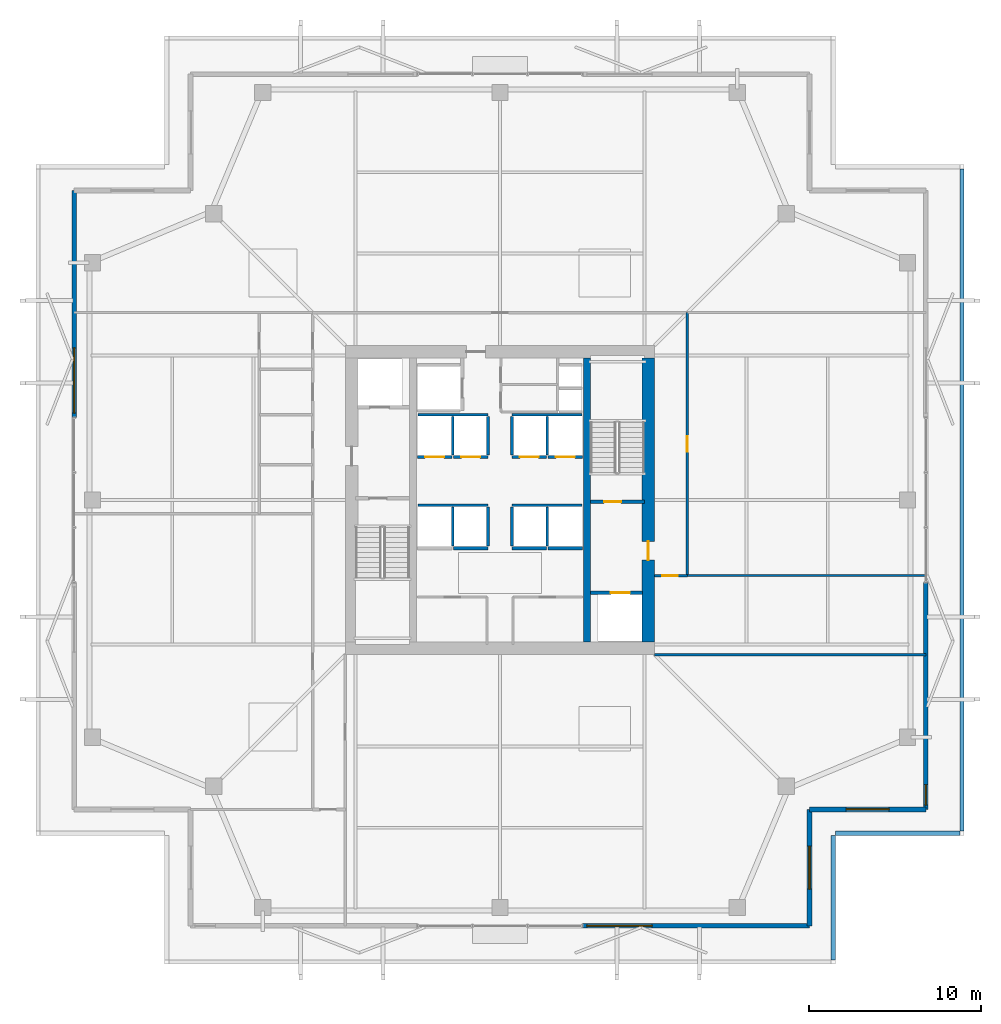
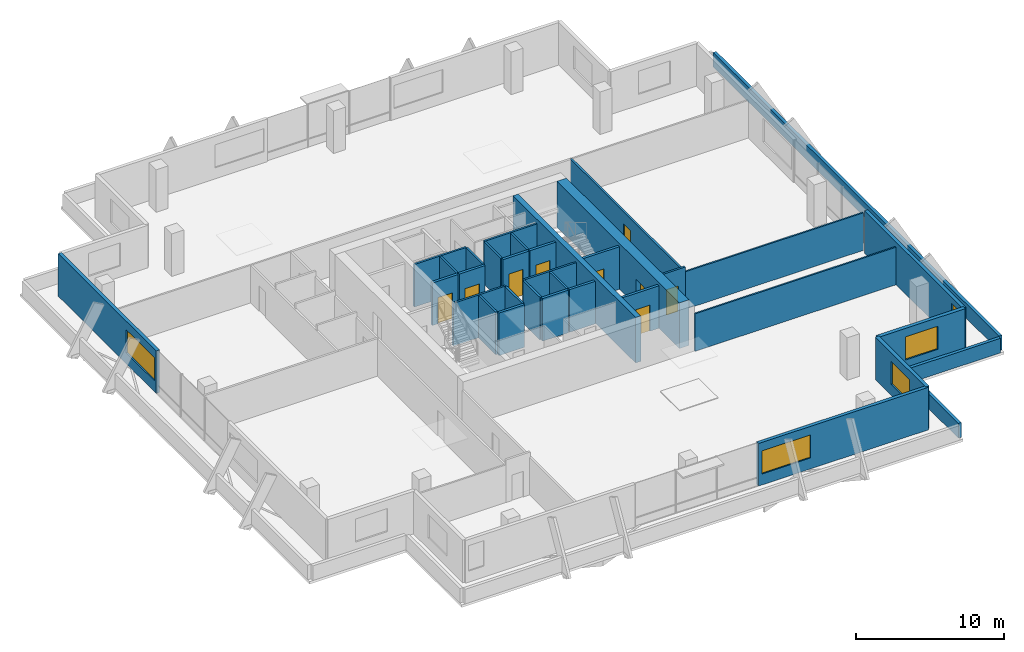
# One storey, part 13 of 17: 35 walls, 9 doors, 5 windows, 14 openings.
"""IFC4 building model written with IfcOpenShell, lengths in metres."""

from ifc_helpers import new_model, si_unit, direction, frame, frame_2d, origin, place, context, subcontext, project, spatial, rectangle, extrude, material, layer, layer_set, type_object, element, fill, save


model = new_model("IFC4")

# Units and contexts
model_context = context("Model", 3, precision=1e-05, world=origin(), true_north=direction((0.0, 1.0)))
body_context = subcontext(model_context, "Body", "Model", "MODEL_VIEW")
ifc_project = project(units=[si_unit("LENGTHUNIT", "METRE"), si_unit("AREAUNIT", "SQUARE_METRE"), si_unit("VOLUMEUNIT", "CUBIC_METRE"), si_unit("PLANEANGLEUNIT", "RADIAN"), si_unit("MASSUNIT", "GRAM", prefix="KILO")], contexts=[model_context])

# Site, building, storey
site_placement = place(None, origin())
site = spatial("IfcSite", under=ifc_project, at=site_placement, CompositionType="ELEMENT")
building_placement = place(site_placement, origin())
building = spatial("IfcBuilding", under=site, at=building_placement, Name="Belovzor Exchange Tower", CompositionType="ELEMENT")
storey_placement = place(building_placement, frame((0.0, 0.0, 246.60009765625)))
storey = spatial("IfcBuildingStorey", under=building, at=storey_placement, Name="L61", CompositionType="ELEMENT", Elevation=246.60009765625)

# Walls
ifc_material_1 = material(Name="Acoustic Plasterboard on Galvanised Studs", Category="gypsum")
ifc_layer_1 = layer(ifc_material_1, 0.1201171875)
ifc_layer_set_1 = layer_set([ifc_layer_1], Name="Acoustic Plasterboard on Galvanised Studs")
wall_type_1 = type_object("IfcWallType", Name="Acoustic Double-Stud Partition Wall 120", PredefinedType="PARTITIONING", material=ifc_layer_set_1)
wall_1_placement = place(storey_placement, frame((37.800048828125, 19.800048828125, 0.0), z_axis=(0.0, 0.0, 1.0), x_axis=(1.0, 0.0, 0.0)))
element("IfcWall", 1, at=wall_1_placement, inside=storey, type_object=wall_type_1, Name="W-P120 Partition Wall W-L61-ESS", PredefinedType="PARTITIONING", context=body_context, shape_type="SweptSolid", body=[
    extrude(rectangle(XDim=15.77001953125, YDim=0.1201171875, at=frame_2d((7.885009765625, 0.0))), origin(), (0.0, 0.0, 1.0), 3.0849609375),
])
wall_2_placement = place(storey_placement, frame((39.699951171875, 24.39990234375, 0.0), z_axis=(0.0, 0.0, 1.0), x_axis=(1.0, 0.0, 0.0)))
element("IfcWall", 2, at=wall_2_placement, inside=storey, type_object=wall_type_1, Name="W-P120 Partition Wall W-L61-ESN", PredefinedType="PARTITIONING", context=body_context, shape_type="SweptSolid", body=[
    extrude(rectangle(XDim=13.8701171875, YDim=0.1201171875, at=frame_2d((6.93505859375, 0.0))), origin(), (0.0, 0.0, 1.0), 3.0849609375),
])

# Wall, opening, door
ifc_material_2 = material(Name="Fire-Rated Gypsum Block and Mineral Wool", Category="gypsum")
ifc_layer_2 = layer(ifc_material_2, 0.14990234375)
ifc_layer_set_2 = layer_set([ifc_layer_2], Name="Fire-Rated Gypsum Block and Mineral Wool")
wall_type_2 = type_object("IfcWallType", Name="Fire-Rated Gypsum Block Corridor Wall 150", PredefinedType="PARTITIONING", material=ifc_layer_set_2)
wall_3_placement = place(storey_placement, frame((37.800048828125, 24.39990234375, 0.0), z_axis=(0.0, 0.0, 1.0), x_axis=(1.0, 0.0, 0.0)))
wall_3 = element("IfcWall", 3, at=wall_3_placement, inside=storey, type_object=wall_type_2, Name="W-P150 Partition Wall W-L61-CE-END", PredefinedType="PARTITIONING", context=body_context, shape_type="SweptSolid", body=[
    extrude(rectangle(XDim=1.89990234375, YDim=0.14990234375, at=frame_2d((0.949951171875, 0.0))), origin(), (0.0, 0.0, 1.0), 3.5),
])
opening_1_placement = place(wall_3_placement, frame((0.449951171875, 0.0, 0.0)))
opening_1 = element("IfcOpeningElement", 4, at=opening_1_placement, cuts=wall_3, Name="Opening D-FD60-090", PredefinedType="OPENING", context=body_context, shape_type="SweptSolid", body=[
    extrude(rectangle(XDim=0.89990234375, YDim=2.10009765625, at=frame_2d((0.449951171875, 1.050048828125))), frame((0.0, 0.0849609375, 0.0), z_axis=(0.0, -1.0, 0.0), x_axis=(1.0, 0.0, 0.0)), (0.0, 0.0, 1.0), 0.169921875),
])
ifc_material_3 = material(Name="Acoustic Timber Fire Leaf", Category="wood")
door_type_1 = type_object("IfcDoorType", Name="Core Service & Restroom Fire Door 900x2100", OperationType="NOTDEFINED", PredefinedType="DOOR", material=ifc_material_3)
door_1_placement = place(opening_1_placement, origin())
door_1 = element("IfcDoor", 5, at=door_1_placement, inside=storey, type_object=door_type_1, Name="D-FD60-090 Core Service & Restroom Fire Door 900x2100", OperationType="SINGLE_SWING_LEFT", OverallHeight=2.10009765625, OverallWidth=0.89990234375, PredefinedType="DOOR", context=body_context, shape_type="SweptSolid", body=[
    extrude(rectangle(XDim=0.89990234375, YDim=2.10009765625, at=frame_2d((0.449951171875, 1.050048828125))), frame((0.0, 0.02490234375, 0.0), z_axis=(0.0, -1.0, 0.0), x_axis=(1.0, 0.0, 0.0)), (0.0, 0.0, 1.0), 0.050048828125),
])
fill(opening_1, door_1)

wall_4_placement = place(storey_placement, frame((39.699951171875, 24.39990234375, 0.0), z_axis=(0.0, 0.0, 1.0), x_axis=(0.0, 1.0, 0.0)))
wall_4 = element("IfcWall", 6, at=wall_4_placement, inside=storey, type_object=wall_type_2, Name="W-P150 Partition Wall W-L61-CE", PredefinedType="PARTITIONING", context=body_context, shape_type="SweptSolid", body=[
    extrude(rectangle(XDim=15.300048828125, YDim=0.14990234375, at=frame_2d((7.64990234375, 0.0))), origin(), (0.0, 0.0, 1.0), 3.0849609375),
])
opening_2_placement = place(wall_4_placement, frame((7.199951171875, 0.0, 0.0)))
opening_2 = element("IfcOpeningElement", 7, at=opening_2_placement, cuts=wall_4, Name="Opening D-INT-090", PredefinedType="OPENING", context=body_context, shape_type="SweptSolid", body=[
    extrude(rectangle(XDim=0.89990234375, YDim=2.10009765625, at=frame_2d((0.449951171875, 1.050048828125))), frame((0.0, 0.0849609375, 0.0), z_axis=(0.0, -1.0, 0.0), x_axis=(1.0, 0.0, 0.0)), (0.0, 0.0, 1.0), 0.169921875),
])
ifc_material_4 = material(Name="Veneered Hardwood Acoustic Leaf", Category="wood")
door_type_2 = type_object("IfcDoorType", Name="Trading Suite Acoustic Single Door 900x2100", OperationType="NOTDEFINED", PredefinedType="DOOR", material=ifc_material_4)
door_2_placement = place(opening_2_placement, origin())
door_2 = element("IfcDoor", 8, at=door_2_placement, inside=storey, type_object=door_type_2, Name="D-INT-090 Trading Suite Acoustic Single Door 900x2100", OperationType="SINGLE_SWING_LEFT", OverallHeight=2.10009765625, OverallWidth=0.89990234375, PredefinedType="DOOR", context=body_context, shape_type="SweptSolid", body=[
    extrude(rectangle(XDim=0.89990234375, YDim=2.10009765625, at=frame_2d((0.449951171875, 1.050048828125))), frame((0.0, 0.02490234375, 0.0), z_axis=(0.0, -1.0, 0.0), x_axis=(1.0, 0.0, 0.0)), (0.0, 0.0, 1.0), 0.050048828125),
])
fill(opening_2, door_2)

# Wall, opening, window
ifc_material_5 = material(Name="Precast concrete C40/50", Category="concrete")
ifc_layer_3 = layer(ifc_material_5, 0.280029296875)
ifc_layer_set_3 = layer_set([ifc_layer_3], Name="Precast concrete C40/50")
wall_type_3 = type_object("IfcWallType", Name="Precast Concrete Notched Corner Frame Wall 280", PredefinedType="SOLIDWALL", material=ifc_layer_set_3)
wall_5_placement = place(storey_placement, frame((53.570068359375, 10.800048828125, 0.0), z_axis=(0.0, 0.0, 1.0), x_axis=(-1.0, 0.0, 0.0)))
wall_5 = element("IfcWall", 9, at=wall_5_placement, inside=storey, type_object=wall_type_3, Name="W-CRN280 Precast Concrete Notched Corner Frame Wall 280 L61", PredefinedType="SOLIDWALL", context=body_context, shape_type="SweptSolid", body=[
    extrude(rectangle(XDim=6.77001953125, YDim=0.280029296875, at=frame_2d((3.385009765625, 0.0))), origin(), (0.0, 0.0, 1.0), 3.5),
])
opening_3_placement = place(wall_5_placement, frame((2.135009765625, 0.0, 0.89990234375)))
opening_3 = element("IfcOpeningElement", 10, at=opening_3_placement, cuts=wall_5, Name="Opening WN-CRN250", PredefinedType="OPENING", context=body_context, shape_type="SweptSolid", body=[
    extrude(rectangle(XDim=2.5, YDim=1.89990234375, at=frame_2d((1.25, 0.949951171875))), frame((0.0, 0.14990234375, 0.0), z_axis=(0.0, -1.0, 0.0), x_axis=(1.0, 0.0, 0.0)), (0.0, 0.0, 1.0), 0.300048828125),
])
ifc_material_6 = material(Name="Thermally Broken Aluminium and Triple Glazing", Category="aluminium")
window_type_1 = type_object("IfcWindowType", Name="Streamline Moderne Corner Wrap Ribbon Window 2500x1900", PartitioningType="SINGLE_PANEL", PredefinedType="WINDOW", material=ifc_material_6)
window_1_placement = place(opening_3_placement, origin())
window_1 = element("IfcWindow", 11, at=window_1_placement, inside=storey, type_object=window_type_1, Name="WN-CRN250 Streamline Moderne Corner Wrap Ribbon Window 2500x1900", OverallHeight=1.89990234375, OverallWidth=2.5, PartitioningType="SINGLE_PANEL", PredefinedType="WINDOW", context=body_context, shape_type="SweptSolid", body=[
    extrude(rectangle(XDim=2.5, YDim=1.89990234375, at=frame_2d((1.25, 0.949951171875))), frame((0.0, 0.030029296875, 0.0), z_axis=(0.0, -1.0, 0.0), x_axis=(1.0, 0.0, 0.0)), (0.0, 0.0, 1.0), 0.06005859375),
])
fill(opening_3, window_1)

wall_6_placement = place(storey_placement, frame((46.800048828125, 10.800048828125, 0.0), z_axis=(0.0, 0.0, 1.0), x_axis=(0.0, -1.0, 0.0)))
wall_6 = element("IfcWall", 12, at=wall_6_placement, inside=storey, type_object=wall_type_3, Name="W-CRN280 Precast Concrete Notched Corner Frame Wall 280 L61", PredefinedType="SOLIDWALL", context=body_context, shape_type="SweptSolid", body=[
    extrude(rectangle(XDim=6.77001953125, YDim=0.280029296875, at=frame_2d((3.385009765625, 0.0))), origin(), (0.0, 0.0, 1.0), 3.5),
])
opening_4_placement = place(wall_6_placement, frame((2.135009765625, 0.0, 0.89990234375)))
opening_4 = element("IfcOpeningElement", 13, at=opening_4_placement, cuts=wall_6, Name="Opening WN-CRN250", PredefinedType="OPENING", context=body_context, shape_type="SweptSolid", body=[
    extrude(rectangle(XDim=2.5, YDim=1.89990234375, at=frame_2d((1.25, 0.949951171875))), frame((0.0, 0.14990234375, 0.0), z_axis=(0.0, -1.0, 0.0), x_axis=(1.0, 0.0, 0.0)), (0.0, 0.0, 1.0), 0.300048828125),
])
window_2_placement = place(opening_4_placement, origin())
window_2 = element("IfcWindow", 14, at=window_2_placement, inside=storey, type_object=window_type_1, Name="WN-CRN250 Streamline Moderne Corner Wrap Ribbon Window 2500x1900", OverallHeight=1.89990234375, OverallWidth=2.5, PartitioningType="SINGLE_PANEL", PredefinedType="WINDOW", context=body_context, shape_type="SweptSolid", body=[
    extrude(rectangle(XDim=2.5, YDim=1.89990234375, at=frame_2d((1.25, 0.949951171875))), frame((0.0, 0.030029296875, 0.0), z_axis=(0.0, -1.0, 0.0), x_axis=(1.0, 0.0, 0.0)), (0.0, 0.0, 1.0), 0.06005859375),
])
fill(opening_4, window_2)

ifc_material_7 = material(Name="Precast concrete C40/50", Category="concrete")
ifc_layer_4 = layer(ifc_material_7, 0.260009765625)
ifc_layer_set_4 = layer_set([ifc_layer_4], Name="Precast concrete C40/50")
wall_type_4 = type_object("IfcWallType", Name="Precast Concrete Perimeter Loggia Frame Wall 260", PredefinedType="SOLIDWALL", material=ifc_layer_set_4)
wall_7_placement = place(storey_placement, frame((46.800048828125, 4.030029296875, 0.0), z_axis=(0.0, 0.0, 1.0), x_axis=(-1.0, 0.0, 0.0)))
wall_7 = element("IfcWall", 15, at=wall_7_placement, inside=storey, type_object=wall_type_4, Name="W-EXT260 Precast Concrete Perimeter Loggia Frame Wall 260 L61", PredefinedType="SOLIDWALL", context=body_context, shape_type="SweptSolid", body=[
    extrude(rectangle(XDim=13.199951171875, YDim=0.260009765625, at=frame_2d((6.60009765625, 0.0))), origin(), (0.0, 0.0, 1.0), 3.5),
])
opening_5_placement = place(wall_7_placement, frame((9.14990234375, 0.0, 0.89990234375)))
opening_5 = element("IfcOpeningElement", 16, at=opening_5_placement, cuts=wall_7, Name="Opening WN-RIB380", PredefinedType="OPENING", context=body_context, shape_type="SweptSolid", body=[
    extrude(rectangle(XDim=3.800048828125, YDim=1.89990234375, at=frame_2d((1.89990234375, 0.949951171875))), frame((0.0, 0.139892578125, 0.0), z_axis=(0.0, -1.0, 0.0), x_axis=(1.0, 0.0, 0.0)), (0.0, 0.0, 1.0), 0.280029296875),
])
ifc_material_8 = material(Name="Thermally Broken Aluminium and Triple Glazing", Category="aluminium")
window_type_2 = type_object("IfcWindowType", Name="Streamline Moderne Horizontal Ribbon Window 3800x1900", PartitioningType="SINGLE_PANEL", PredefinedType="WINDOW", material=ifc_material_8)
window_3_placement = place(opening_5_placement, origin())
window_3 = element("IfcWindow", 17, at=window_3_placement, inside=storey, type_object=window_type_2, Name="WN-RIB380 Streamline Moderne Horizontal Ribbon Window 3800x1900", OverallHeight=1.89990234375, OverallWidth=3.800048828125, PartitioningType="SINGLE_PANEL", PredefinedType="WINDOW", context=body_context, shape_type="SweptSolid", body=[
    extrude(rectangle(XDim=3.800048828125, YDim=1.89990234375, at=frame_2d((1.89990234375, 0.949951171875))), frame((0.0, 0.030029296875, 0.0), z_axis=(0.0, -1.0, 0.0), x_axis=(1.0, 0.0, 0.0)), (0.0, 0.0, 1.0), 0.06005859375),
])
fill(opening_5, window_3)

wall_8_placement = place(storey_placement, frame((4.030029296875, 33.60009765625, 0.0), z_axis=(0.0, 0.0, 1.0), x_axis=(0.0, 1.0, 0.0)))
wall_8 = element("IfcWall", 18, at=wall_8_placement, inside=storey, type_object=wall_type_4, Name="W-EXT260 Precast Concrete Perimeter Loggia Frame Wall 260 L61", PredefinedType="SOLIDWALL", context=body_context, shape_type="SweptSolid", body=[
    extrude(rectangle(XDim=13.199951171875, YDim=0.260009765625, at=frame_2d((6.60009765625, 0.0))), origin(), (0.0, 0.0, 1.0), 3.5),
])
opening_6_placement = place(wall_8_placement, frame((0.25, 0.0, 0.89990234375)))
opening_6 = element("IfcOpeningElement", 19, at=opening_6_placement, cuts=wall_8, Name="Opening WN-RIB380", PredefinedType="OPENING", context=body_context, shape_type="SweptSolid", body=[
    extrude(rectangle(XDim=3.800048828125, YDim=1.89990234375, at=frame_2d((1.89990234375, 0.949951171875))), frame((0.0, 0.139892578125, 0.0), z_axis=(0.0, -1.0, 0.0), x_axis=(1.0, 0.0, 0.0)), (0.0, 0.0, 1.0), 0.280029296875),
])
window_4_placement = place(opening_6_placement, origin())
window_4 = element("IfcWindow", 20, at=window_4_placement, inside=storey, type_object=window_type_2, Name="WN-RIB380 Streamline Moderne Horizontal Ribbon Window 3800x1900", OverallHeight=1.89990234375, OverallWidth=3.800048828125, PartitioningType="SINGLE_PANEL", PredefinedType="WINDOW", context=body_context, shape_type="SweptSolid", body=[
    extrude(rectangle(XDim=3.800048828125, YDim=1.89990234375, at=frame_2d((1.89990234375, 0.949951171875))), frame((0.0, 0.030029296875, 0.0), z_axis=(0.0, -1.0, 0.0), x_axis=(1.0, 0.0, 0.0)), (0.0, 0.0, 1.0), 0.06005859375),
])
fill(opening_6, window_4)

wall_9_placement = place(storey_placement, frame((53.570068359375, 24.0, 0.0), z_axis=(0.0, 0.0, 1.0), x_axis=(0.0, -1.0, 0.0)))
wall_9 = element("IfcWall", 21, at=wall_9_placement, inside=storey, type_object=wall_type_4, Name="W-EXT260 Precast Concrete Perimeter Loggia Frame Wall 260 L61", PredefinedType="SOLIDWALL", context=body_context, shape_type="SweptSolid", body=[
    extrude(rectangle(XDim=13.199951171875, YDim=0.260009765625, at=frame_2d((6.60009765625, 0.0))), origin(), (0.0, 0.0, 1.0), 3.5),
])
opening_7_placement = place(wall_9_placement, frame((11.75, 0.0, 0.89990234375)))
opening_7 = element("IfcOpeningElement", 22, at=opening_7_placement, cuts=wall_9, Name="Opening WN-CRN120", PredefinedType="OPENING", context=body_context, shape_type="SweptSolid", body=[
    extrude(rectangle(XDim=1.199951171875, YDim=2.10009765625, at=frame_2d((0.60009765625, 1.050048828125))), frame((0.0, 0.139892578125, 0.0), z_axis=(0.0, -1.0, 0.0), x_axis=(1.0, 0.0, 0.0)), (0.0, 0.0, 1.0), 0.280029296875),
])
ifc_material_9 = material(Name="Thermally Broken Aluminium and Triple Glazing", Category="aluminium")
window_type_3 = type_object("IfcWindowType", Name="Streamline Notched Corner Window 1200x2100", PartitioningType="SINGLE_PANEL", PredefinedType="WINDOW", material=ifc_material_9)
window_5_placement = place(opening_7_placement, origin())
window_5 = element("IfcWindow", 23, at=window_5_placement, inside=storey, type_object=window_type_3, Name="WN-CRN120 Streamline Notched Corner Window 1200x2100", OverallHeight=2.10009765625, OverallWidth=1.199951171875, PartitioningType="SINGLE_PANEL", PredefinedType="WINDOW", context=body_context, shape_type="SweptSolid", body=[
    extrude(rectangle(XDim=1.199951171875, YDim=2.10009765625, at=frame_2d((0.60009765625, 1.050048828125))), frame((0.0, 0.030029296875, 0.0), z_axis=(0.0, -1.0, 0.0), x_axis=(1.0, 0.0, 0.0)), (0.0, 0.0, 1.0), 0.06005859375),
])
fill(opening_7, window_5)

# Walls
ifc_material_10 = material(Name="Precast concrete C40/50", Category="concrete")
ifc_layer_5 = layer(ifc_material_10, 0.239990234375)
ifc_layer_set_5 = layer_set([ifc_layer_5], Name="Precast concrete C40/50")
wall_type_5 = type_object("IfcWallType", Name="Precast Stone Setback Roof Parapet Wall 240", PredefinedType="PARAPET", material=ifc_layer_set_5)
for number, where, z_axis, x_axis, name in (
    (24, (48.179931640625, 2.054931640625, 0.0), (0.0, 0.0, 1.0), (0.0, 1.0, 0.0), "W-PAR240 Precast Stone Setback Roof Parapet Wall 240 L61"),
    (25, (48.31494140625, 9.419921875, 0.0), (0.0, 0.0, 1.0), (1.0, 0.0, 0.0), "W-PAR240 Precast Stone Setback Roof Parapet Wall 240 L61"),
):
    element("IfcWall", number, at=place(storey_placement, frame(where, z_axis=z_axis, x_axis=x_axis)), inside=storey, type_object=wall_type_5, Name=name, PredefinedType="PARAPET", context=body_context, shape_type="SweptSolid", body=[
        extrude(rectangle(XDim=7.22998046875, YDim=0.239990234375, at=frame_2d((3.614990234375, 0.0))), origin(), (0.0, 0.0, 1.0), 1.199951171875),
    ])
wall_10_placement = place(storey_placement, frame((55.679931640625, 9.554931640625, 0.0), z_axis=(0.0, 0.0, 1.0), x_axis=(0.0, 1.0, 0.0)))
element("IfcWall", 26, at=wall_10_placement, inside=storey, type_object=wall_type_5, Name="W-PAR240 Precast Stone Setback Roof Parapet Wall 240 L61", PredefinedType="PARAPET", context=body_context, shape_type="SweptSolid", body=[
    extrude(rectangle(XDim=38.489990234375, YDim=0.239990234375, at=frame_2d((19.2451171875, 0.0))), origin(), (0.0, 0.0, 1.0), 1.199951171875),
])
ifc_material_11 = material(Name="Concrete C50/60", Category="concrete")
ifc_layer_6 = layer(ifc_material_11, 0.39990234375)
ifc_layer_set_6 = layer_set([ifc_layer_6], Name="Concrete C50/60")
wall_type_6 = type_object("IfcWallType", Name="Reinforced Concrete Core Internal Web Wall 400", PredefinedType="SHEAR", material=ifc_layer_set_6)
wall_11_placement = place(storey_placement, frame((33.85009765625, 20.550048828125, 0.0), z_axis=(0.0, 0.0, 1.0), x_axis=(0.0, 1.0, 0.0)))
element("IfcWall", 27, at=wall_11_placement, inside=storey, type_object=wall_type_6, Name="CW-W040 Core Internal Web Wall L61 ER", PredefinedType="SHEAR", context=body_context, shape_type="SweptSolid", body=[
    extrude(rectangle(XDim=16.5, YDim=0.39990234375, at=frame_2d((8.25, 0.0))), origin(), (0.0, 0.0, 1.0), 3.75),
])
ifc_material_12 = material(Name="Concrete C50/60", Category="concrete")
ifc_layer_7 = layer(ifc_material_12, 0.14990234375)
ifc_layer_set_7 = layer_set([ifc_layer_7], Name="Concrete C50/60")
wall_type_7 = type_object("IfcWallType", Name="Reinforced Concrete Core Riser Shear Wall 150", PredefinedType="SHEAR", material=ifc_layer_set_7)
for number, where, z_axis, x_axis, name in (
    (28, (24.02001953125, 28.5, 0.0), (0.0, 0.0, 1.0), (1.0, 0.0, 0.0), "W-C150S Core Shaft Wall W-SHB-L61-PLM-NW"),
    (29, (29.5, 28.5, 0.0), (0.0, 0.0, 1.0), (1.0, 0.0, 0.0), "W-C150S Core Shaft Wall W-SHB-L61-PLM-NE"),
):
    element("IfcWall", number, at=place(storey_placement, frame(where, z_axis=z_axis, x_axis=x_axis)), inside=storey, type_object=wall_type_7, Name=name, PredefinedType="SHEAR", context=body_context, shape_type="SweptSolid", body=[
        extrude(rectangle(XDim=4.080078125, YDim=0.14990234375, at=frame_2d((2.0400390625, 0.0))), origin(), (0.0, 0.0, 1.0), 3.5),
    ])
for number, where, z_axis, x_axis, name in (
    (30, (26.050048828125, 26.1201171875, 0.0), (0.0, 0.0, 1.0), (0.0, 1.0, 0.0), "W-C150S Core Shaft Wall W-SHD-L61-PLM-1"),
    (31, (28.10009765625, 26.1201171875, 0.0), (0.0, 0.0, 1.0), (0.0, 1.0, 0.0), "W-C150S Core Shaft Wall W-SHD-L61-PLM-2"),
    (32, (29.5, 26.1201171875, 0.0), (0.0, 0.0, 1.0), (0.0, 1.0, 0.0), "W-C150S Core Shaft Wall W-SHD-L61-PLM-3"),
    (33, (31.550048828125, 26.1201171875, 0.0), (0.0, 0.0, 1.0), (0.0, 1.0, 0.0), "W-C150S Core Shaft Wall W-SHD-L61-PLM-4"),
):
    element("IfcWall", number, at=place(storey_placement, frame(where, z_axis=z_axis, x_axis=x_axis)), inside=storey, type_object=wall_type_7, Name=name, PredefinedType="SHEAR", context=body_context, shape_type="SweptSolid", body=[
        extrude(rectangle(XDim=2.27978515625, YDim=0.14990234375, at=frame_2d((1.139892578125, 0.0))), origin(), (0.0, 0.0, 1.0), 3.5),
    ])
for number, where, z_axis, x_axis, name in (
    (34, (24.02001953125, 33.760009765625, 0.0), (0.0, 0.0, 1.0), (1.0, 0.0, 0.0), "W-C150S Core Shaft Wall W-SHB-L61-PLH-NW"),
    (35, (29.5, 33.760009765625, 0.0), (0.0, 0.0, 1.0), (1.0, 0.0, 0.0), "W-C150S Core Shaft Wall W-SHB-L61-PLH-NE"),
):
    element("IfcWall", number, at=place(storey_placement, frame(where, z_axis=z_axis, x_axis=x_axis)), inside=storey, type_object=wall_type_7, Name=name, PredefinedType="SHEAR", context=body_context, shape_type="SweptSolid", body=[
        extrude(rectangle(XDim=4.080078125, YDim=0.14990234375, at=frame_2d((2.0400390625, 0.0))), origin(), (0.0, 0.0, 1.0), 3.5),
    ])
for number, where, z_axis, x_axis, name in (
    (36, (26.050048828125, 31.419921875, 0.0), (0.0, 0.0, 1.0), (0.0, 1.0, 0.0), "W-C150S Core Shaft Wall W-SHD-L61-PLH-1"),
    (37, (28.10009765625, 31.419921875, 0.0), (0.0, 0.0, 1.0), (0.0, 1.0, 0.0), "W-C150S Core Shaft Wall W-SHD-L61-PLH-2"),
    (38, (29.5, 31.419921875, 0.0), (0.0, 0.0, 1.0), (0.0, 1.0, 0.0), "W-C150S Core Shaft Wall W-SHD-L61-PLH-3"),
    (39, (31.550048828125, 31.419921875, 0.0), (0.0, 0.0, 1.0), (0.0, 1.0, 0.0), "W-C150S Core Shaft Wall W-SHD-L61-PLH-4"),
):
    element("IfcWall", number, at=place(storey_placement, frame(where, z_axis=z_axis, x_axis=x_axis)), inside=storey, type_object=wall_type_7, Name=name, PredefinedType="SHEAR", context=body_context, shape_type="SweptSolid", body=[
        extrude(rectangle(XDim=2.239990234375, YDim=0.14990234375, at=frame_2d((1.1201171875, 0.0))), origin(), (0.0, 0.0, 1.0), 3.5),
    ])

# Wall, opening, door
ifc_material_13 = material(Name="Concrete C50/60", Category="concrete")
ifc_layer_8 = layer(ifc_material_13, 0.199951171875)
ifc_layer_set_8 = layer_set([ifc_layer_8], Name="Concrete C50/60")
wall_type_8 = type_object("IfcWallType", Name="Reinforced Concrete Core Shaft Shear Wall 200", PredefinedType="SHEAR", material=ifc_layer_set_8)
wall_12_placement = place(storey_placement, frame((34.050048828125, 28.699951171875, 0.0), z_axis=(0.0, 0.0, 1.0), x_axis=(1.0, 0.0, 0.0)))
wall_12 = element("IfcWall", 40, at=wall_12_placement, inside=storey, type_object=wall_type_8, Name="W-C200S Core Shaft Wall W-CORE-L61-FFLE2", PredefinedType="SHEAR", context=body_context, shape_type="SweptSolid", body=[
    extrude(rectangle(XDim=3.14990234375, YDim=0.199951171875, at=frame_2d((1.574951171875, 0.0))), origin(), (0.0, 0.0, 1.0), 3.5),
])
opening_8_placement = place(wall_12_placement, frame((0.800048828125, 0.0, 0.0)))
opening_8 = element("IfcOpeningElement", 41, at=opening_8_placement, cuts=wall_12, Name="Opening D-FD90-100", PredefinedType="OPENING", context=body_context, shape_type="SweptSolid", body=[
    extrude(rectangle(XDim=1.0, YDim=2.10009765625, at=frame_2d((0.5, 1.050048828125))), frame((0.0, 0.10986328125, 0.0), z_axis=(0.0, -1.0, 0.0), x_axis=(1.0, 0.0, 0.0)), (0.0, 0.0, 1.0), 0.219970703125),
])
ifc_material_14 = material(Name="Fire-Rated Galvanised Steel Leaf", Category="steel")
door_type_3 = type_object("IfcDoorType", Name="Protected Stairwell Single Fire Door 1000x2100", OperationType="NOTDEFINED", PredefinedType="DOOR", material=ifc_material_14)
door_3_placement = place(opening_8_placement, origin())
door_3 = element("IfcDoor", 42, at=door_3_placement, inside=storey, type_object=door_type_3, Name="D-FD90-100 Protected Stairwell Single Fire Door 1000x2100", OperationType="SINGLE_SWING_LEFT", OverallHeight=2.10009765625, OverallWidth=1.0, PredefinedType="DOOR", context=body_context, shape_type="SweptSolid", body=[
    extrude(rectangle(XDim=1.0, YDim=2.10009765625, at=frame_2d((0.5, 1.050048828125))), frame((0.0, 0.02490234375, 0.0), z_axis=(0.0, -1.0, 0.0), x_axis=(1.0, 0.0, 0.0)), (0.0, 0.0, 1.0), 0.050048828125),
])
fill(opening_8, door_3)

wall_13_placement = place(storey_placement, frame((34.050048828125, 23.39990234375, 0.0), z_axis=(0.0, 0.0, 1.0), x_axis=(1.0, 0.0, 0.0)))
wall_13 = element("IfcWall", 43, at=wall_13_placement, inside=storey, type_object=wall_type_8, Name="W-C200S Core Shaft Wall W-SH-L61-FFL-02", PredefinedType="SHEAR", context=body_context, shape_type="SweptSolid", body=[
    extrude(rectangle(XDim=3.050048828125, YDim=0.199951171875, at=frame_2d((1.52490234375, 0.0))), origin(), (0.0, 0.0, 1.0), 3.5),
])
opening_9_placement = place(wall_13_placement, frame((1.199951171875, 0.0, 0.0)))
opening_9 = element("IfcOpeningElement", 44, at=opening_9_placement, cuts=wall_13, Name="Opening LD-110", PredefinedType="OPENING", context=body_context, shape_type="SweptSolid", body=[
    extrude(rectangle(XDim=1.10009765625, YDim=2.14990234375, at=frame_2d((0.550048828125, 1.074951171875))), frame((0.0, 0.10986328125, 0.0), z_axis=(0.0, -1.0, 0.0), x_axis=(1.0, 0.0, 0.0)), (0.0, 0.0, 1.0), 0.219970703125),
])
ifc_material_15 = material(Name="Stainless Steel Grade 304", Category="steel")
door_type_4 = type_object("IfcDoorType", Name="Automated Stainless Steel Lift Landing Door 1100x2150", OperationType="SLIDING_TO_RIGHT", PredefinedType="DOOR", material=ifc_material_15)
door_4_placement = place(opening_9_placement, origin())
door_4 = element("IfcDoor", 45, at=door_4_placement, inside=storey, type_object=door_type_4, Name="LD-110 Automated Stainless Steel Lift Landing Door 1100x2150", OperationType="SLIDING_TO_RIGHT", OverallHeight=2.14990234375, OverallWidth=1.10009765625, PredefinedType="DOOR", context=body_context, shape_type="SweptSolid", body=[
    extrude(rectangle(XDim=1.10009765625, YDim=2.14990234375, at=frame_2d((0.550048828125, 1.074951171875))), frame((0.0, 0.02490234375, 0.0), z_axis=(0.0, -1.0, 0.0), x_axis=(1.0, 0.0, 0.0)), (0.0, 0.0, 1.0), 0.050048828125),
])
fill(opening_9, door_4)

# Walls
for number, where, z_axis, x_axis, name in (
    (46, (26.10009765625, 26.0, 0.0), (0.0, 0.0, 1.0), (1.0, 0.0, 0.0), "W-C200S Core Shaft Wall W-SH-L61-PL-M2"),
    (47, (29.5, 26.0, 0.0), (0.0, 0.0, 1.0), (1.0, 0.0, 0.0), "W-C200S Core Shaft Wall W-SH-L61-PL-M3"),
    (48, (31.60009765625, 26.0, 0.0), (0.0, 0.0, 1.0), (1.0, 0.0, 0.0), "W-C200S Core Shaft Wall W-SH-L61-PL-M4"),
):
    element("IfcWall", number, at=place(storey_placement, frame(where, z_axis=z_axis, x_axis=x_axis)), inside=storey, type_object=wall_type_8, Name=name, PredefinedType="SHEAR", context=body_context, shape_type="SweptSolid", body=[
        extrude(rectangle(XDim=2.0, YDim=0.199951171875, at=frame_2d((1.0, 0.0))), origin(), (0.0, 0.0, 1.0), 3.5),
    ])

# Wall, opening, door
wall_14_placement = place(storey_placement, frame((24.0, 31.300048828125, 0.0), z_axis=(0.0, 0.0, 1.0), x_axis=(1.0, 0.0, 0.0)))
wall_14 = element("IfcWall", 49, at=wall_14_placement, inside=storey, type_object=wall_type_8, Name="W-C200S Core Shaft Wall W-SH-L61-PL-H1", PredefinedType="SHEAR", context=body_context, shape_type="SweptSolid", body=[
    extrude(rectangle(XDim=2.0, YDim=0.199951171875, at=frame_2d((1.0, 0.0))), origin(), (0.0, 0.0, 1.0), 3.5),
])
opening_10_placement = place(wall_14_placement, frame((0.449951171875, 0.0, 0.0)))
opening_10 = element("IfcOpeningElement", 50, at=opening_10_placement, cuts=wall_14, Name="Opening LD-110", PredefinedType="OPENING", context=body_context, shape_type="SweptSolid", body=[
    extrude(rectangle(XDim=1.10009765625, YDim=2.14990234375, at=frame_2d((0.550048828125, 1.074951171875))), frame((0.0, 0.10986328125, 0.0), z_axis=(0.0, -1.0, 0.0), x_axis=(1.0, 0.0, 0.0)), (0.0, 0.0, 1.0), 0.219970703125),
])
door_5_placement = place(opening_10_placement, origin())
door_5 = element("IfcDoor", 51, at=door_5_placement, inside=storey, type_object=door_type_4, Name="LD-110 Automated Stainless Steel Lift Landing Door 1100x2150", OperationType="SLIDING_TO_RIGHT", OverallHeight=2.14990234375, OverallWidth=1.10009765625, PredefinedType="DOOR", context=body_context, shape_type="SweptSolid", body=[
    extrude(rectangle(XDim=1.10009765625, YDim=2.14990234375, at=frame_2d((0.550048828125, 1.074951171875))), frame((0.0, 0.02490234375, 0.0), z_axis=(0.0, -1.0, 0.0), x_axis=(1.0, 0.0, 0.0)), (0.0, 0.0, 1.0), 0.050048828125),
])
fill(opening_10, door_5)

wall_15_placement = place(storey_placement, frame((26.10009765625, 31.300048828125, 0.0), z_axis=(0.0, 0.0, 1.0), x_axis=(1.0, 0.0, 0.0)))
wall_15 = element("IfcWall", 52, at=wall_15_placement, inside=storey, type_object=wall_type_8, Name="W-C200S Core Shaft Wall W-SH-L61-PL-H2", PredefinedType="SHEAR", context=body_context, shape_type="SweptSolid", body=[
    extrude(rectangle(XDim=2.0, YDim=0.199951171875, at=frame_2d((1.0, 0.0))), origin(), (0.0, 0.0, 1.0), 3.5),
])
opening_11_placement = place(wall_15_placement, frame((0.449951171875, 0.0, 0.0)))
opening_11 = element("IfcOpeningElement", 53, at=opening_11_placement, cuts=wall_15, Name="Opening LD-110", PredefinedType="OPENING", context=body_context, shape_type="SweptSolid", body=[
    extrude(rectangle(XDim=1.10009765625, YDim=2.14990234375, at=frame_2d((0.550048828125, 1.074951171875))), frame((0.0, 0.10986328125, 0.0), z_axis=(0.0, -1.0, 0.0), x_axis=(1.0, 0.0, 0.0)), (0.0, 0.0, 1.0), 0.219970703125),
])
door_6_placement = place(opening_11_placement, origin())
door_6 = element("IfcDoor", 54, at=door_6_placement, inside=storey, type_object=door_type_4, Name="LD-110 Automated Stainless Steel Lift Landing Door 1100x2150", OperationType="SLIDING_TO_RIGHT", OverallHeight=2.14990234375, OverallWidth=1.10009765625, PredefinedType="DOOR", context=body_context, shape_type="SweptSolid", body=[
    extrude(rectangle(XDim=1.10009765625, YDim=2.14990234375, at=frame_2d((0.550048828125, 1.074951171875))), frame((0.0, 0.02490234375, 0.0), z_axis=(0.0, -1.0, 0.0), x_axis=(1.0, 0.0, 0.0)), (0.0, 0.0, 1.0), 0.050048828125),
])
fill(opening_11, door_6)

wall_16_placement = place(storey_placement, frame((29.5, 31.300048828125, 0.0), z_axis=(0.0, 0.0, 1.0), x_axis=(1.0, 0.0, 0.0)))
wall_16 = element("IfcWall", 55, at=wall_16_placement, inside=storey, type_object=wall_type_8, Name="W-C200S Core Shaft Wall W-SH-L61-PL-H3", PredefinedType="SHEAR", context=body_context, shape_type="SweptSolid", body=[
    extrude(rectangle(XDim=2.0, YDim=0.199951171875, at=frame_2d((1.0, 0.0))), origin(), (0.0, 0.0, 1.0), 3.5),
])
opening_12_placement = place(wall_16_placement, frame((0.449951171875, 0.0, 0.0)))
opening_12 = element("IfcOpeningElement", 56, at=opening_12_placement, cuts=wall_16, Name="Opening LD-110", PredefinedType="OPENING", context=body_context, shape_type="SweptSolid", body=[
    extrude(rectangle(XDim=1.10009765625, YDim=2.14990234375, at=frame_2d((0.550048828125, 1.074951171875))), frame((0.0, 0.10986328125, 0.0), z_axis=(0.0, -1.0, 0.0), x_axis=(1.0, 0.0, 0.0)), (0.0, 0.0, 1.0), 0.219970703125),
])
door_7_placement = place(opening_12_placement, origin())
door_7 = element("IfcDoor", 57, at=door_7_placement, inside=storey, type_object=door_type_4, Name="LD-110 Automated Stainless Steel Lift Landing Door 1100x2150", OperationType="SLIDING_TO_RIGHT", OverallHeight=2.14990234375, OverallWidth=1.10009765625, PredefinedType="DOOR", context=body_context, shape_type="SweptSolid", body=[
    extrude(rectangle(XDim=1.10009765625, YDim=2.14990234375, at=frame_2d((0.550048828125, 1.074951171875))), frame((0.0, 0.02490234375, 0.0), z_axis=(0.0, -1.0, 0.0), x_axis=(1.0, 0.0, 0.0)), (0.0, 0.0, 1.0), 0.050048828125),
])
fill(opening_12, door_7)

wall_17_placement = place(storey_placement, frame((31.60009765625, 31.300048828125, 0.0), z_axis=(0.0, 0.0, 1.0), x_axis=(1.0, 0.0, 0.0)))
wall_17 = element("IfcWall", 58, at=wall_17_placement, inside=storey, type_object=wall_type_8, Name="W-C200S Core Shaft Wall W-SH-L61-PL-H4", PredefinedType="SHEAR", context=body_context, shape_type="SweptSolid", body=[
    extrude(rectangle(XDim=2.0, YDim=0.199951171875, at=frame_2d((1.0, 0.0))), origin(), (0.0, 0.0, 1.0), 3.5),
])
opening_13_placement = place(wall_17_placement, frame((0.449951171875, 0.0, 0.0)))
opening_13 = element("IfcOpeningElement", 59, at=opening_13_placement, cuts=wall_17, Name="Opening LD-110", PredefinedType="OPENING", context=body_context, shape_type="SweptSolid", body=[
    extrude(rectangle(XDim=1.10009765625, YDim=2.14990234375, at=frame_2d((0.550048828125, 1.074951171875))), frame((0.0, 0.10986328125, 0.0), z_axis=(0.0, -1.0, 0.0), x_axis=(1.0, 0.0, 0.0)), (0.0, 0.0, 1.0), 0.219970703125),
])
door_8_placement = place(opening_13_placement, origin())
door_8 = element("IfcDoor", 60, at=door_8_placement, inside=storey, type_object=door_type_4, Name="LD-110 Automated Stainless Steel Lift Landing Door 1100x2150", OperationType="SLIDING_TO_RIGHT", OverallHeight=2.14990234375, OverallWidth=1.10009765625, PredefinedType="DOOR", context=body_context, shape_type="SweptSolid", body=[
    extrude(rectangle(XDim=1.10009765625, YDim=2.14990234375, at=frame_2d((0.550048828125, 1.074951171875))), frame((0.0, 0.02490234375, 0.0), z_axis=(0.0, -1.0, 0.0), x_axis=(1.0, 0.0, 0.0)), (0.0, 0.0, 1.0), 0.050048828125),
])
fill(opening_13, door_8)

ifc_material_16 = material(Name="Concrete C50/60", Category="concrete")
ifc_layer_9 = layer(ifc_material_16, 0.75)
ifc_layer_set_9 = layer_set([ifc_layer_9], Name="Concrete C50/60")
wall_type_9 = type_object("IfcWallType", Name="Reinforced Concrete Core Shear Wall 750", PredefinedType="SHEAR", material=ifc_layer_set_9)
wall_18_placement = place(storey_placement, frame((37.425048828125, 20.550048828125, 0.0), z_axis=(0.0, 0.0, 1.0), x_axis=(0.0, 1.0, 0.0)))
wall_18 = element("IfcWall", 61, at=wall_18_placement, inside=storey, type_object=wall_type_9, Name="CW-S075 Core Shear Wall L61 E", PredefinedType="SHEAR", context=body_context, shape_type="SweptSolid", body=[
    extrude(rectangle(XDim=16.5, YDim=0.75, at=frame_2d((8.25, 0.0))), origin(), (0.0, 0.0, 1.0), 3.75),
])
opening_14_placement = place(wall_18_placement, frame((4.75, 0.0, 0.0)))
opening_14 = element("IfcOpeningElement", 62, at=opening_14_placement, cuts=wall_18, Name="Opening D-FD90-110", PredefinedType="OPENING", context=body_context, shape_type="SweptSolid", body=[
    extrude(rectangle(XDim=1.10009765625, YDim=2.14990234375, at=frame_2d((0.550048828125, 1.074951171875))), frame((0.0, 0.385009765625, 0.0), z_axis=(0.0, -1.0, 0.0), x_axis=(1.0, 0.0, 0.0)), (0.0, 0.0, 1.0), 0.77001953125),
])
ifc_material_17 = material(Name="Fire-Rated Galvanised Steel Leaf", Category="steel")
door_type_5 = type_object("IfcDoorType", Name="Protected Escape Vestibule Fire Door 1100x2150", OperationType="NOTDEFINED", PredefinedType="DOOR", material=ifc_material_17)
door_9_placement = place(opening_14_placement, origin())
door_9 = element("IfcDoor", 63, at=door_9_placement, inside=storey, type_object=door_type_5, Name="D-FD90-110 Protected Escape Vestibule Fire Door 1100x2150", OperationType="SINGLE_SWING_RIGHT", OverallHeight=2.14990234375, OverallWidth=1.10009765625, PredefinedType="DOOR", context=body_context, shape_type="SweptSolid", body=[
    extrude(rectangle(XDim=1.10009765625, YDim=2.14990234375, at=frame_2d((0.550048828125, 1.074951171875))), frame((0.0, 0.02490234375, 0.0), z_axis=(0.0, -1.0, 0.0), x_axis=(1.0, 0.0, 0.0)), (0.0, 0.0, 1.0), 0.050048828125),
])
fill(opening_14, door_9)

save(model, "model.ifc")
